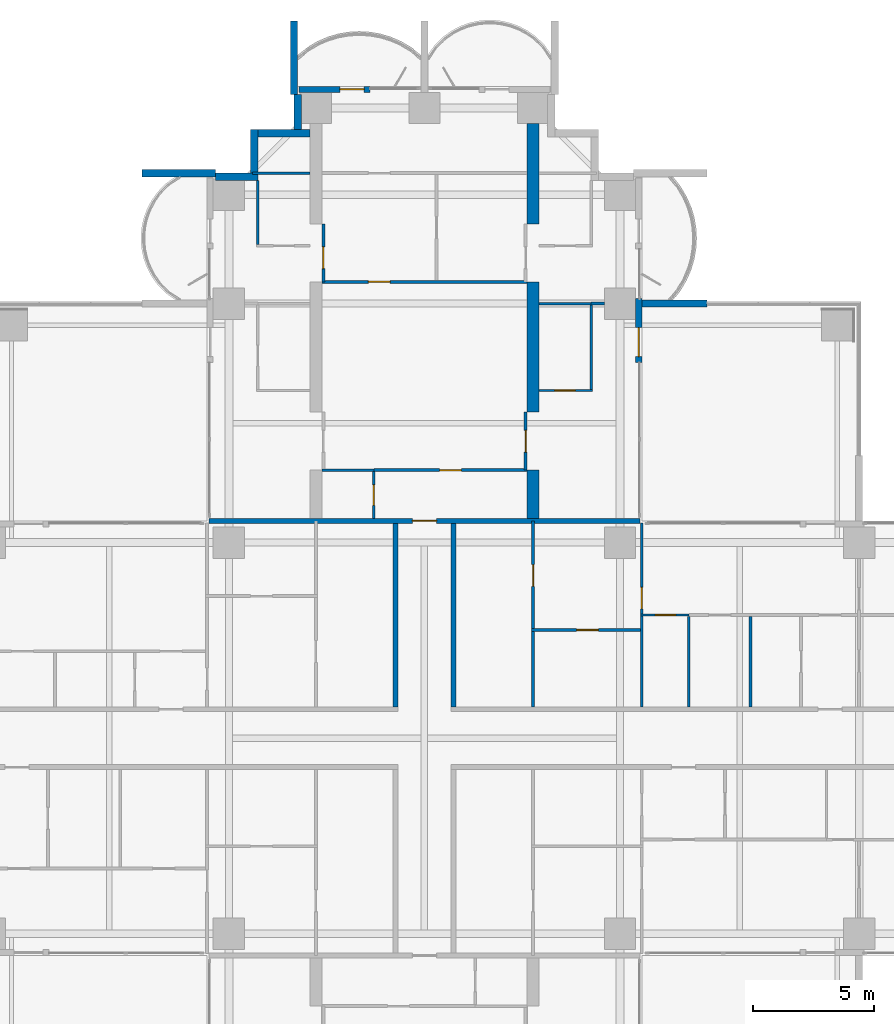
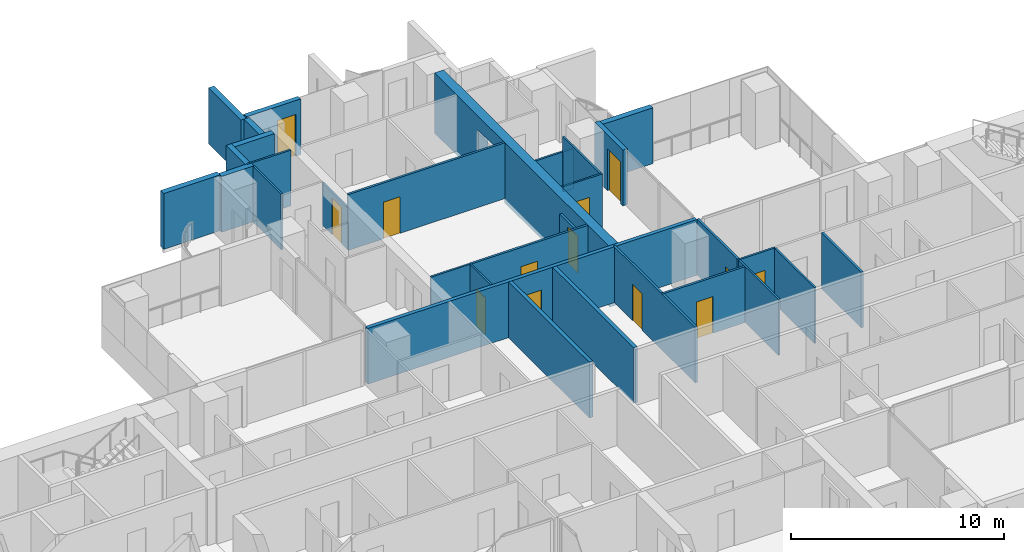
# One storey, part 14 of 21: 32 walls, 13 doors, 13 openings.
"""IFC4 building model written with IfcOpenShell, lengths in metres."""

from ifc_helpers import new_model, si_unit, direction, frame, frame_2d, origin, place, context, subcontext, project, spatial, polyline, rectangle, outline, extrude, material, layer, layer_set, material_profile, profile_set, type_object, element, fill, save


model = new_model("IFC4")

# Units and contexts
model_context = context("Model", 3, precision=1e-05, world=origin(), true_north=direction((0.0, 1.0)))
body_context = subcontext(model_context, "Body", "Model", "MODEL_VIEW")
ifc_project = project(units=[si_unit("LENGTHUNIT", "METRE"), si_unit("AREAUNIT", "SQUARE_METRE"), si_unit("VOLUMEUNIT", "CUBIC_METRE"), si_unit("PLANEANGLEUNIT", "RADIAN"), si_unit("MASSUNIT", "GRAM", prefix="KILO")], contexts=[model_context])

# Site, building, storey
site_placement = place(None, origin())
site = spatial("IfcSite", under=ifc_project, at=site_placement, CompositionType="ELEMENT")
building_placement = place(site_placement, origin())
building = spatial("IfcBuilding", under=site, at=building_placement, Name="Perihelion Cross Residences", CompositionType="ELEMENT")
storey_placement = place(building_placement, frame((0.0, 0.0, 89.0)))
storey = spatial("IfcBuildingStorey", under=building, at=storey_placement, Name="L20", CompositionType="ELEMENT", Elevation=89.0)

# Walls
ifc_material_1 = material(Name="Plasterboard partition")
ifc_layer_1 = layer(ifc_material_1, 0.199951171875)
ifc_layer_set_1 = layer_set([ifc_layer_1], Name="Apartment separation wall 200")
wall_type_1 = type_object("IfcWallType", Name="Apartment separation wall 200", PredefinedType="PARTITIONING", material=ifc_layer_set_1)
for number, where, z_axis, x_axis, name in (
    (1, (1.199951171875, 8.89990234375, 0.0), (0.0, 0.0, 1.0), (0.0, -1.0, 0.0), "Partition L20 W002"),
    (2, (-1.199951171875, 1.300048828125, 0.0), (0.0, 0.0, 1.0), (0.0, 1.0, 0.0), "Partition L20 W006"),
):
    element("IfcWall", number, at=place(storey_placement, frame(where, z_axis=z_axis, x_axis=x_axis)), inside=storey, type_object=wall_type_1, Name=name, PredefinedType="PARTITIONING", context=body_context, shape_type="SweptSolid", body=[
        extrude(rectangle(XDim=7.599853515625, YDim=0.199951171875, at=frame_2d((3.7998046875, 0.0))), origin(), (0.0, 0.0, 1.0), 3.199951171875),
    ])

# Wall, opening, door
wall_1_placement = place(storey_placement, frame((-8.919921875, 9.0, 0.0), z_axis=(0.0, 0.0, 1.0), x_axis=(1.0, 0.0, 0.0)))
wall_1 = element("IfcWall", 3, at=wall_1_placement, inside=storey, type_object=wall_type_1, Name="Partition L20 W009", PredefinedType="PARTITIONING", context=body_context, shape_type="SweptSolid", body=[
    extrude(rectangle(XDim=17.83984375, YDim=0.199951171875, at=frame_2d((8.919921875, 0.0))), origin(), (0.0, 0.0, 1.0), 3.199951171875),
])
opening_1_placement = place(wall_1_placement, frame((8.419921875, 0.0, 0.0)))
opening_1 = element("IfcOpeningElement", 4, at=opening_1_placement, cuts=wall_1, Name="Opening L20.A34", PredefinedType="OPENING", context=body_context, shape_type="SweptSolid", body=[
    extrude(rectangle(XDim=1.0, YDim=2.10009765625, at=frame_2d((0.5, 1.050048828125))), frame((0.0, 0.10986328125, 0.0), z_axis=(0.0, -1.0, 0.0), x_axis=(1.0, 0.0, 0.0)), (0.0, 0.0, 1.0), 0.219970703125),
])
ifc_material_2 = material(Name="Timber door leaf", Category="wood")
door_type_1 = type_object("IfcDoorType", Name="Flat entrance door 1000 x 2100", OperationType="SINGLE_SWING_LEFT", PredefinedType="DOOR", material=ifc_material_2)
door_1_placement = place(opening_1_placement, origin())
door_1 = element("IfcDoor", 5, at=door_1_placement, inside=storey, type_object=door_type_1, Name="Door L20.A34", OperationType="SINGLE_SWING_RIGHT", OverallHeight=2.10009765625, OverallWidth=1.0, PredefinedType="DOOR", context=body_context, shape_type="SweptSolid", body=[
    extrude(rectangle(XDim=1.0, YDim=2.10009765625, at=frame_2d((0.5, 1.050048828125))), frame((0.0, 0.02490234375, 0.0), z_axis=(0.0, -1.0, 0.0), x_axis=(1.0, 0.0, 0.0)), (0.0, 0.0, 1.0), 0.050048828125),
])
fill(opening_1, door_1)

ifc_material_3 = material(Name="Concrete C30/37, bronze-clad", Category="concrete")
ifc_layer_2 = layer(ifc_material_3, 0.25)
ifc_layer_set_2 = layer_set([ifc_layer_2], Name="Bronze-clad pier wall 250")
wall_type_2 = type_object("IfcWallType", Name="Bronze-clad pier wall 250", PredefinedType="SOLIDWALL", material=ifc_layer_set_2)
wall_2_placement = place(storey_placement, frame((8.875, 15.550048828125, 0.0), z_axis=(0.0, 0.0, 1.0), x_axis=(0.0, 1.0, 0.0)))
wall_2 = element("IfcWall", 6, at=wall_2_placement, inside=storey, type_object=wall_type_2, Name="Wall FW1 L20 north side east bay 1 pier", PredefinedType="SOLIDWALL", context=body_context, shape_type="SweptSolid", body=[
    extrude(rectangle(XDim=2.64990234375, YDim=0.25, at=frame_2d((1.324951171875, 0.0))), origin(), (0.0, 0.0, 1.0), 3.199951171875),
])
opening_2_placement = place(wall_2_placement, frame((0.25, 0.0, 0.0)))
opening_2 = element("IfcOpeningElement", 7, at=opening_2_placement, cuts=wall_2, Name="Opening L20.E02", PredefinedType="OPENING", context=body_context, shape_type="SweptSolid", body=[
    extrude(rectangle(XDim=1.199951171875, YDim=2.39990234375, at=frame_2d((0.60009765625, 1.199951171875))), frame((0.0, 0.135009765625, 0.0), z_axis=(0.0, -1.0, 0.0), x_axis=(1.0, 0.0, 0.0)), (0.0, 0.0, 1.0), 0.27001953125),
])
ifc_material_4 = material(Name="Bronze anodised aluminium, glazed", Category="aluminium")
door_type_2 = type_object("IfcDoorType", Name="Balcony door 1200 x 2400", OperationType="NOTDEFINED", PredefinedType="DOOR", material=ifc_material_4)
door_2_placement = place(opening_2_placement, origin())
door_2 = element("IfcDoor", 8, at=door_2_placement, inside=storey, type_object=door_type_2, Name="Door L20.E02 north side east bay 1", OperationType="SINGLE_SWING_LEFT", OverallHeight=2.39990234375, OverallWidth=1.199951171875, PredefinedType="DOOR", context=body_context, shape_type="SweptSolid", body=[
    extrude(rectangle(XDim=1.199951171875, YDim=2.39990234375, at=frame_2d((0.60009765625, 1.199951171875))), frame((0.0, 0.02490234375, 0.0), z_axis=(0.0, -1.0, 0.0), x_axis=(1.0, 0.0, 0.0)), (0.0, 0.0, 1.0), 0.050048828125),
])
fill(opening_2, door_2)

wall_3_placement = place(storey_placement, frame((-2.25, 26.875, 0.0), z_axis=(0.0, 0.0, 1.0), x_axis=(-1.0, 0.0, 0.0)))
wall_3 = element("IfcWall", 9, at=wall_3_placement, inside=storey, type_object=wall_type_2, Name="Wall FW1 L20 north tip north bay 2 pier", PredefinedType="SOLIDWALL", context=body_context, shape_type="SweptSolid", body=[
    extrude(rectangle(XDim=2.949951171875, YDim=0.25, at=frame_2d((1.47509765625, 0.0))), origin(), (0.0, 0.0, 1.0), 3.199951171875),
])
opening_3_placement = place(wall_3_placement, frame((0.25, 0.0, 0.0)))
opening_3 = element("IfcOpeningElement", 10, at=opening_3_placement, cuts=wall_3, Name="Opening L20.E05", PredefinedType="OPENING", context=body_context, shape_type="SweptSolid", body=[
    extrude(rectangle(XDim=1.0, YDim=2.39990234375, at=frame_2d((0.5, 1.199951171875))), frame((0.0, 0.135009765625, 0.0), z_axis=(0.0, -1.0, 0.0), x_axis=(1.0, 0.0, 0.0)), (0.0, 0.0, 1.0), 0.27001953125),
])
ifc_material_5 = material(Name="Bronze anodised aluminium, glazed", Category="aluminium")
door_type_3 = type_object("IfcDoorType", Name="Balcony door 1000 x 2400", OperationType="NOTDEFINED", PredefinedType="DOOR", material=ifc_material_5)
door_3_placement = place(opening_3_placement, origin())
door_3 = element("IfcDoor", 11, at=door_3_placement, inside=storey, type_object=door_type_3, Name="Door L20.E05 north tip north bay 2", OperationType="SINGLE_SWING_RIGHT", OverallHeight=2.39990234375, OverallWidth=1.0, PredefinedType="DOOR", context=body_context, shape_type="SweptSolid", body=[
    extrude(rectangle(XDim=1.0, YDim=2.39990234375, at=frame_2d((0.5, 1.199951171875))), frame((0.0, 0.02490234375, 0.0), z_axis=(0.0, -1.0, 0.0), x_axis=(1.0, 0.0, 0.0)), (0.0, 0.0, 1.0), 0.050048828125),
])
fill(opening_3, door_3)

# Walls
ifc_material_6 = material(Name="Concrete C30/37, bronze-clad", Category="concrete")
ifc_layer_3 = layer(ifc_material_6, 0.300048828125)
ifc_layer_set_3 = layer_set([ifc_layer_3], Name="Bronze-clad serration wall 300")
wall_type_3 = type_object("IfcWallType", Name="Bronze-clad serration wall 300", PredefinedType="SOLIDWALL", material=ifc_layer_set_3)
wall_4_placement = place(storey_placement, frame((-5.25, 26.64990234375, 0.0), z_axis=(0.0, 0.0, 1.0), x_axis=(0.0, -1.0, 0.0)))
element("IfcWall", 12, at=wall_4_placement, inside=storey, type_object=wall_type_3, Name="Wall SR1 L20 north corner north-west 1", PredefinedType="SOLIDWALL", context=body_context, shape_type="SweptSolid", body=[
    extrude(rectangle(XDim=1.449951171875, YDim=0.300048828125, at=frame_2d((0.72509765625, 0.0))), origin(), (0.0, 0.0, 1.0), 3.199951171875),
])
wall_5_placement = place(storey_placement, frame((-4.75, 25.050048828125, 0.0), z_axis=(0.0, 0.0, 1.0), x_axis=(-1.0, 0.0, 0.0)))
element("IfcWall", 13, at=wall_5_placement, inside=storey, type_object=wall_type_3, Name="Wall SR1 L20 north corner north-west 2", PredefinedType="SOLIDWALL", context=body_context, shape_type="SweptSolid", body=[
    extrude(rectangle(XDim=2.14990234375, YDim=0.300048828125, at=frame_2d((1.074951171875, 0.0))), origin(), (0.0, 0.0, 1.0), 3.199951171875),
])
wall_6_placement = place(storey_placement, frame((-7.050048828125, 25.199951171875, 0.0), z_axis=(0.0, 0.0, 1.0), x_axis=(0.0, -1.0, 0.0)))
element("IfcWall", 14, at=wall_6_placement, inside=storey, type_object=wall_type_3, Name="Wall SR1 L20 north corner north-west 3", PredefinedType="SOLIDWALL", context=body_context, shape_type="SweptSolid", body=[
    extrude(rectangle(XDim=1.800048828125, YDim=0.300048828125, at=frame_2d((0.89990234375, 0.0))), origin(), (0.0, 0.0, 1.0), 3.199951171875),
])
wall_7_placement = place(storey_placement, frame((-6.89990234375, 23.25, 0.0), z_axis=(0.0, 0.0, 1.0), x_axis=(-1.0, 0.0, 0.0)))
element("IfcWall", 15, at=wall_7_placement, inside=storey, type_object=wall_type_3, Name="Wall SR1 L20 north corner north-west 4", PredefinedType="SOLIDWALL", context=body_context, shape_type="SweptSolid", body=[
    extrude(rectangle(XDim=1.75, YDim=0.300048828125, at=frame_2d((0.875, 0.0))), origin(), (0.0, 0.0, 1.0), 3.199951171875),
])

# Wall, opening, door
ifc_material_7 = material(Name="Plasterboard partition")
ifc_layer_4 = layer(ifc_material_7, 0.1201171875)
ifc_layer_set_4 = layer_set([ifc_layer_4], Name="Infill panel 120")
wall_type_4 = type_object("IfcWallType", Name="Infill panel 120", PredefinedType="PARTITIONING", material=ifc_layer_set_4)
wall_8_placement = place(storey_placement, frame((4.18994140625, 11.10009765625, 0.0), z_axis=(0.0, 0.0, 1.0), x_axis=(0.0, 1.0, 0.0)))
wall_8 = element("IfcWall", 16, at=wall_8_placement, inside=storey, type_object=wall_type_4, Name="Partition L20 WI01", PredefinedType="PARTITIONING", context=body_context, shape_type="SweptSolid", body=[
    extrude(rectangle(XDim=2.39990234375, YDim=0.1201171875, at=frame_2d((1.199951171875, 0.0))), origin(), (0.0, 0.0, 1.0), 2.39990234375),
])
opening_4_placement = place(wall_8_placement, frame((0.75, 0.0, 0.0)))
opening_4 = element("IfcOpeningElement", 17, at=opening_4_placement, cuts=wall_8, Name="Opening L20.A57", PredefinedType="OPENING", context=body_context, shape_type="SweptSolid", body=[
    extrude(rectangle(XDim=0.89990234375, YDim=2.10009765625, at=frame_2d((0.449951171875, 1.050048828125))), frame((0.0, 0.070068359375, 0.0), z_axis=(0.0, -1.0, 0.0), x_axis=(1.0, 0.0, 0.0)), (0.0, 0.0, 1.0), 0.14013671875),
])
ifc_material_8 = material(Name="Timber door leaf", Category="wood")
door_type_4 = type_object("IfcDoorType", Name="Interior room door 900 x 2100", OperationType="SINGLE_SWING_LEFT", PredefinedType="DOOR", material=ifc_material_8)
door_4_placement = place(opening_4_placement, origin())
door_4 = element("IfcDoor", 18, at=door_4_placement, inside=storey, type_object=door_type_4, Name="Door L20.A57", OperationType="SINGLE_SWING_LEFT", OverallHeight=2.10009765625, OverallWidth=0.89990234375, PredefinedType="DOOR", context=body_context, shape_type="SweptSolid", body=[
    extrude(rectangle(XDim=0.89990234375, YDim=2.10009765625, at=frame_2d((0.449951171875, 1.050048828125))), frame((0.0, 0.02490234375, 0.0), z_axis=(0.0, -1.0, 0.0), x_axis=(1.0, 0.0, 0.0)), (0.0, 0.0, 1.0), 0.050048828125),
])
fill(opening_4, door_4)

wall_9_placement = place(storey_placement, frame((-4.18994140625, 18.89990234375, 0.0), z_axis=(0.0, 0.0, 1.0), x_axis=(0.0, 1.0, 0.0)))
wall_9 = element("IfcWall", 19, at=wall_9_placement, inside=storey, type_object=wall_type_4, Name="Partition L20 WI04", PredefinedType="PARTITIONING", context=body_context, shape_type="SweptSolid", body=[
    extrude(rectangle(XDim=2.400146484375, YDim=0.1201171875, at=frame_2d((1.2001953125, 0.0))), origin(), (0.0, 0.0, 1.0), 2.39990234375),
])
opening_5_placement = place(wall_9_placement, frame((0.550048828125, 0.0, 0.0)))
opening_5 = element("IfcOpeningElement", 20, at=opening_5_placement, cuts=wall_9, Name="Opening L20.A60", PredefinedType="OPENING", context=body_context, shape_type="SweptSolid", body=[
    extrude(rectangle(XDim=0.89990234375, YDim=2.10009765625, at=frame_2d((0.449951171875, 1.050048828125))), frame((0.0, 0.070068359375, 0.0), z_axis=(0.0, -1.0, 0.0), x_axis=(1.0, 0.0, 0.0)), (0.0, 0.0, 1.0), 0.14013671875),
])
door_5_placement = place(opening_5_placement, origin())
door_5 = element("IfcDoor", 21, at=door_5_placement, inside=storey, type_object=door_type_4, Name="Door L20.A60", OperationType="SINGLE_SWING_LEFT", OverallHeight=2.10009765625, OverallWidth=0.89990234375, PredefinedType="DOOR", context=body_context, shape_type="SweptSolid", body=[
    extrude(rectangle(XDim=0.89990234375, YDim=2.10009765625, at=frame_2d((0.449951171875, 1.050048828125))), frame((0.0, 0.02490234375, 0.0), z_axis=(0.0, -1.0, 0.0), x_axis=(1.0, 0.0, 0.0)), (0.0, 0.0, 1.0), 0.050048828125),
])
fill(opening_5, door_5)

# Wall
ifc_material_9 = material(Name="Plasterboard partition")
ifc_layer_5 = layer(ifc_material_9, 0.1201171875)
ifc_layer_set_5 = layer_set([ifc_layer_5], Name="Partition wall 120")
wall_type_5 = type_object("IfcWallType", Name="Partition wall 120", PredefinedType="PARTITIONING", material=ifc_layer_set_5)
wall_10_placement = place(storey_placement, frame((13.5, 5.0400390625, 0.0), z_axis=(0.0, 0.0, 1.0), x_axis=(0.0, -1.0, 0.0)))
element("IfcWall", 22, at=wall_10_placement, inside=storey, type_object=wall_type_5, Name="Partition L20 W014", PredefinedType="PARTITIONING", context=body_context, shape_type="SweptSolid", body=[
    extrude(rectangle(XDim=3.739990234375, YDim=0.1201171875, at=frame_2d((1.8701171875, 0.0))), origin(), (0.0, 0.0, 1.0), 3.199951171875),
])

# Wall, opening, door
wall_11_placement = place(storey_placement, frame((9.0, 5.10009765625, 0.0), z_axis=(0.0, 0.0, 1.0), x_axis=(0.0, 1.0, 0.0)))
wall_11 = element("IfcWall", 23, at=wall_11_placement, inside=storey, type_object=wall_type_5, Name="Partition L20 W018", PredefinedType="PARTITIONING", context=body_context, shape_type="SweptSolid", body=[
    extrude(rectangle(XDim=3.81982421875, YDim=0.1201171875, at=frame_2d((1.909912109375, 0.0))), origin(), (0.0, 0.0, 1.0), 3.199951171875),
])
opening_6_placement = place(wall_11_placement, frame((0.25, 0.0, 0.0)))
opening_6 = element("IfcOpeningElement", 24, at=opening_6_placement, cuts=wall_11, Name="Opening L20.A05", PredefinedType="OPENING", context=body_context, shape_type="SweptSolid", body=[
    extrude(rectangle(XDim=0.89990234375, YDim=2.10009765625, at=frame_2d((0.449951171875, 1.050048828125))), frame((0.0, 0.070068359375, 0.0), z_axis=(0.0, -1.0, 0.0), x_axis=(1.0, 0.0, 0.0)), (0.0, 0.0, 1.0), 0.14013671875),
])
door_6_placement = place(opening_6_placement, origin())
door_6 = element("IfcDoor", 25, at=door_6_placement, inside=storey, type_object=door_type_4, Name="Door L20.A05", OperationType="SINGLE_SWING_LEFT", OverallHeight=2.10009765625, OverallWidth=0.89990234375, PredefinedType="DOOR", context=body_context, shape_type="SweptSolid", body=[
    extrude(rectangle(XDim=0.89990234375, YDim=2.10009765625, at=frame_2d((0.449951171875, 1.050048828125))), frame((0.0, 0.02490234375, 0.0), z_axis=(0.0, -1.0, 0.0), x_axis=(1.0, 0.0, 0.0)), (0.0, 0.0, 1.0), 0.050048828125),
])
fill(opening_6, door_6)

wall_12_placement = place(storey_placement, frame((4.43994140625, 4.47607421875, 0.0), z_axis=(0.0, 0.0, 1.0), x_axis=(1.0, 0.0, 0.0)))
wall_12 = element("IfcWall", 26, at=wall_12_placement, inside=storey, type_object=wall_type_5, Name="Partition L20 W019", PredefinedType="PARTITIONING", context=body_context, shape_type="SweptSolid", body=[
    extrude(rectangle(XDim=4.610107421875, YDim=0.1201171875, at=frame_2d((2.30517578125, 0.0))), origin(), (0.0, 0.0, 1.0), 3.199951171875),
])
opening_7_placement = place(wall_12_placement, frame((1.860107421875, 0.0, 0.0)))
opening_7 = element("IfcOpeningElement", 27, at=opening_7_placement, cuts=wall_12, Name="Opening L20.A03", PredefinedType="OPENING", context=body_context, shape_type="SweptSolid", body=[
    extrude(rectangle(XDim=0.89990234375, YDim=2.10009765625, at=frame_2d((0.449951171875, 1.050048828125))), frame((0.0, 0.070068359375, 0.0), z_axis=(0.0, -1.0, 0.0), x_axis=(1.0, 0.0, 0.0)), (0.0, 0.0, 1.0), 0.14013671875),
])
door_7_placement = place(opening_7_placement, origin())
door_7 = element("IfcDoor", 28, at=door_7_placement, inside=storey, type_object=door_type_4, Name="Door L20.A03", OperationType="SINGLE_SWING_RIGHT", OverallHeight=2.10009765625, OverallWidth=0.89990234375, PredefinedType="DOOR", context=body_context, shape_type="SweptSolid", body=[
    extrude(rectangle(XDim=0.89990234375, YDim=2.10009765625, at=frame_2d((0.449951171875, 1.050048828125))), frame((0.0, 0.02490234375, 0.0), z_axis=(0.0, -1.0, 0.0), x_axis=(1.0, 0.0, 0.0)), (0.0, 0.0, 1.0), 0.050048828125),
])
fill(opening_7, door_7)

wall_13_placement = place(storey_placement, frame((4.5, 1.300048828125, 0.0), z_axis=(0.0, 0.0, 1.0), x_axis=(0.0, 1.0, 0.0)))
wall_13 = element("IfcWall", 29, at=wall_13_placement, inside=storey, type_object=wall_type_5, Name="Partition L20 W020", PredefinedType="PARTITIONING", context=body_context, shape_type="SweptSolid", body=[
    extrude(rectangle(XDim=7.699951171875, YDim=0.1201171875, at=frame_2d((3.85009765625, 0.0))), origin(), (0.0, 0.0, 1.0), 3.199951171875),
])
opening_8_placement = place(wall_13_placement, frame((4.988037109375, 0.0, 0.0)))
opening_8 = element("IfcOpeningElement", 30, at=opening_8_placement, cuts=wall_13, Name="Opening L20.A04", PredefinedType="OPENING", context=body_context, shape_type="SweptSolid", body=[
    extrude(rectangle(XDim=0.89990234375, YDim=2.10009765625, at=frame_2d((0.449951171875, 1.050048828125))), frame((0.0, 0.070068359375, 0.0), z_axis=(0.0, -1.0, 0.0), x_axis=(1.0, 0.0, 0.0)), (0.0, 0.0, 1.0), 0.14013671875),
])
door_8_placement = place(opening_8_placement, origin())
door_8 = element("IfcDoor", 31, at=door_8_placement, inside=storey, type_object=door_type_4, Name="Door L20.A04", OperationType="SINGLE_SWING_LEFT", OverallHeight=2.10009765625, OverallWidth=0.89990234375, PredefinedType="DOOR", context=body_context, shape_type="SweptSolid", body=[
    extrude(rectangle(XDim=0.89990234375, YDim=2.10009765625, at=frame_2d((0.449951171875, 1.050048828125))), frame((0.0, 0.02490234375, 0.0), z_axis=(0.0, -1.0, 0.0), x_axis=(1.0, 0.0, 0.0)), (0.0, 0.0, 1.0), 0.050048828125),
])
fill(opening_8, door_8)

wall_14_placement = place(storey_placement, frame((-2.10009765625, 11.10009765625, 0.0), z_axis=(0.0, 0.0, 1.0), x_axis=(1.0, 0.0, 0.0)))
wall_14 = element("IfcWall", 32, at=wall_14_placement, inside=storey, type_object=wall_type_5, Name="Partition L20 W050", PredefinedType="PARTITIONING", context=body_context, shape_type="SweptSolid", body=[
    extrude(rectangle(XDim=6.35009765625, YDim=0.1201171875, at=frame_2d((3.175048828125, 0.0))), origin(), (0.0, 0.0, 1.0), 3.199951171875),
])
opening_9_placement = place(wall_14_placement, frame((2.72509765625, 0.0, 0.0)))
opening_9 = element("IfcOpeningElement", 33, at=opening_9_placement, cuts=wall_14, Name="Opening L20.A36", PredefinedType="OPENING", context=body_context, shape_type="SweptSolid", body=[
    extrude(rectangle(XDim=0.89990234375, YDim=2.10009765625, at=frame_2d((0.449951171875, 1.050048828125))), frame((0.0, 0.070068359375, 0.0), z_axis=(0.0, -1.0, 0.0), x_axis=(1.0, 0.0, 0.0)), (0.0, 0.0, 1.0), 0.14013671875),
])
door_9_placement = place(opening_9_placement, origin())
door_9 = element("IfcDoor", 34, at=door_9_placement, inside=storey, type_object=door_type_4, Name="Door L20.A36", OperationType="SINGLE_SWING_RIGHT", OverallHeight=2.10009765625, OverallWidth=0.89990234375, PredefinedType="DOOR", context=body_context, shape_type="SweptSolid", body=[
    extrude(rectangle(XDim=0.89990234375, YDim=2.10009765625, at=frame_2d((0.449951171875, 1.050048828125))), frame((0.0, 0.02490234375, 0.0), z_axis=(0.0, -1.0, 0.0), x_axis=(1.0, 0.0, 0.0)), (0.0, 0.0, 1.0), 0.050048828125),
])
fill(opening_9, door_9)

wall_15_placement = place(storey_placement, frame((-4.25, 18.89990234375, 0.0), z_axis=(0.0, 0.0, 1.0), x_axis=(1.0, 0.0, 0.0)))
wall_15 = element("IfcWall", 35, at=wall_15_placement, inside=storey, type_object=wall_type_5, Name="Partition L20 W052", PredefinedType="PARTITIONING", context=body_context, shape_type="SweptSolid", body=[
    extrude(rectangle(XDim=8.5, YDim=0.1201171875, at=frame_2d((4.25, 0.0))), origin(), (0.0, 0.0, 1.0), 3.199951171875),
])
opening_10_placement = place(wall_15_placement, frame((1.925048828125, 0.0, 0.0)))
opening_10 = element("IfcOpeningElement", 36, at=opening_10_placement, cuts=wall_15, Name="Opening L20.A37", PredefinedType="OPENING", context=body_context, shape_type="SweptSolid", body=[
    extrude(rectangle(XDim=0.89990234375, YDim=2.10009765625, at=frame_2d((0.449951171875, 1.050048828125))), frame((0.0, 0.070068359375, 0.0), z_axis=(0.0, -1.0, 0.0), x_axis=(1.0, 0.0, 0.0)), (0.0, 0.0, 1.0), 0.14013671875),
])
door_10_placement = place(opening_10_placement, origin())
door_10 = element("IfcDoor", 37, at=door_10_placement, inside=storey, type_object=door_type_4, Name="Door L20.A37", OperationType="SINGLE_SWING_RIGHT", OverallHeight=2.10009765625, OverallWidth=0.89990234375, PredefinedType="DOOR", context=body_context, shape_type="SweptSolid", body=[
    extrude(rectangle(XDim=0.89990234375, YDim=2.10009765625, at=frame_2d((0.449951171875, 1.050048828125))), frame((0.0, 0.02490234375, 0.0), z_axis=(0.0, -1.0, 0.0), x_axis=(1.0, 0.0, 0.0)), (0.0, 0.0, 1.0), 0.050048828125),
])
fill(opening_10, door_10)

# Walls
wall_16_placement = place(storey_placement, frame((6.89990234375, 18.0, 0.0), z_axis=(0.0, 0.0, 1.0), x_axis=(1.0, 0.0, 0.0)))
element("IfcWall", 38, at=wall_16_placement, inside=storey, type_object=wall_type_5, Name="Partition L20 W057", PredefinedType="PARTITIONING", context=body_context, shape_type="SweptSolid", body=[
    extrude(rectangle(XDim=0.550048828125, YDim=0.1201171875, at=frame_2d((0.27490234375, 0.0))), origin(), (0.0, 0.0, 1.0), 2.2958984375),
])
ifc_material_10 = material(Name="Precast concrete C50/60", Category="concrete")
ifc_layer_6 = layer(ifc_material_10, 0.300048828125)
ifc_layer_set_6 = layer_set([ifc_layer_6], Name="Precast concrete C50/60 blade wall 300")
wall_type_6 = type_object("IfcWallType", Name="Precast concrete C50/60 blade wall 300", PredefinedType="SOLIDWALL", material=ifc_layer_set_6)
for number, where, z_axis, x_axis, name in (
    (39, (-8.64990234375, 23.39990234375, 0.0), (0.0, 0.0, 1.0), (-1.0, 0.0, 0.0), "Wall BL1 L20 no. 8"),
    (40, (-5.39990234375, 26.64990234375, 0.0), (0.0, 0.0, 1.0), (0.0, 1.0, 0.0), "Wall BL1 L20 no. 4"),
):
    element("IfcWall", number, at=place(storey_placement, frame(where, z_axis=z_axis, x_axis=x_axis)), inside=storey, type_object=wall_type_6, Name=name, PredefinedType="SOLIDWALL", context=body_context, shape_type="SweptSolid", body=[
        extrude(rectangle(XDim=3.050048828125, YDim=0.300048828125, at=frame_2d((1.52490234375, 0.0))), origin(), (0.0, 0.0, 1.0), 3.199951171875),
    ])
wall_17_placement = place(storey_placement, frame((8.75, 18.0, 0.0), z_axis=(0.0, 0.0, 1.0), x_axis=(1.0, 0.0, 0.0)))
element("IfcWall", 41, at=wall_17_placement, inside=storey, type_object=wall_type_6, Name="Wall BL1 L20 no. 17", PredefinedType="SOLIDWALL", context=body_context, shape_type="SweptSolid", body=[
    extrude(rectangle(XDim=2.949951171875, YDim=0.300048828125, at=frame_2d((1.47509765625, 0.0))), origin(), (0.0, 0.0, 1.0), 3.199951171875),
])
ifc_material_11 = material(Name="Concrete C60/75", Category="concrete")
ifc_material_profile = material_profile(ifc_material_11, outline(polyline([(0.0, 0.0), (2.10009765625, 0.0), (2.10009765625, 2.64990234375), (4.5, 2.64990234375), (4.5, 0.0), (9.89990234375, 0.0), (9.89990234375, 2.64990234375), (12.300048828125, 2.64990234375), (12.300048828125, 0.0), (16.449951171875, 0.0), (16.449951171875, 3.449951171875), (0.0, 3.449951171875), (0.0, 0.0)])), Name="Tip spine wall")
ifc_profile_set = profile_set([ifc_material_profile], Name="Concrete C60/75")
wall_type_7 = type_object("IfcWallType", Name="Tip spine wall 500 with 2 door openings 16450 long 3450 high concrete C60/75 hand B", PredefinedType="SHEAR", material=ifc_profile_set)
wall_18_placement = place(storey_placement, frame((4.25, 9.0, -0.25), z_axis=(1.0, 0.0, 0.0), x_axis=(0.0, 1.0, 0.0)))
element("IfcWall", 42, at=wall_18_placement, inside=storey, type_object=wall_type_7, Name="Shear wall SW26 L20 north east", PredefinedType="SHEAR", context=body_context, shape_type="SweptSolid", body=[
    extrude(outline(polyline([(0.0, 0.0), (2.10009765625, 0.0), (2.10009765625, 2.64990234375), (4.5, 2.64990234375), (4.5, 0.0), (9.89990234375, 0.0), (9.89990234375, 2.64990234375), (12.300048828125, 2.64990234375), (12.300048828125, 0.0), (16.449951171875, 0.0), (16.449951171875, 3.449951171875), (0.0, 3.449951171875), (0.0, 0.0)])), origin(), (0.0, 0.0, 1.0), 0.5),
])
ifc_material_12 = material(Name="Plasterboard partition")
ifc_layer_7 = layer(ifc_material_12, 0.10009765625)
ifc_layer_set_7 = layer_set([ifc_layer_7], Name="Wet room wall 100")
wall_type_8 = type_object("IfcWallType", Name="Wet room wall 100", PredefinedType="PARTITIONING", material=ifc_layer_set_7)
wall_19_placement = place(storey_placement, frame((10.949951171875, 5.0400390625, 0.0), z_axis=(0.0, 0.0, 1.0), x_axis=(0.0, -1.0, 0.0)))
element("IfcWall", 43, at=wall_19_placement, inside=storey, type_object=wall_type_8, Name="Partition L20 W011", PredefinedType="PARTITIONING", context=body_context, shape_type="SweptSolid", body=[
    extrude(rectangle(XDim=3.739990234375, YDim=0.10009765625, at=frame_2d((1.8701171875, 0.0))), origin(), (0.0, 0.0, 1.0), 3.199951171875),
])

# Wall, opening, door
wall_20_placement = place(storey_placement, frame((8.93994140625, 5.10009765625, 0.0), z_axis=(0.0, 0.0, 1.0), x_axis=(1.0, 0.0, 0.0)))
wall_20 = element("IfcWall", 44, at=wall_20_placement, inside=storey, type_object=wall_type_8, Name="Partition L20 W012", PredefinedType="PARTITIONING", context=body_context, shape_type="SweptSolid", body=[
    extrude(rectangle(XDim=2.010009765625, YDim=0.10009765625, at=frame_2d((1.0048828125, 0.0))), origin(), (0.0, 0.0, 1.0), 3.199951171875),
])
opening_11_placement = place(wall_20_placement, frame((0.610107421875, 0.0, 0.0)))
opening_11 = element("IfcOpeningElement", 45, at=opening_11_placement, cuts=wall_20, Name="Opening L20.A01", PredefinedType="OPENING", context=body_context, shape_type="SweptSolid", body=[
    extrude(rectangle(XDim=0.85009765625, YDim=2.10009765625, at=frame_2d((0.425048828125, 1.050048828125))), frame((0.0, 0.06005859375, 0.0), z_axis=(0.0, -1.0, 0.0), x_axis=(1.0, 0.0, 0.0)), (0.0, 0.0, 1.0), 0.1201171875),
])
ifc_material_13 = material(Name="Timber door leaf", Category="wood")
door_type_5 = type_object("IfcDoorType", Name="Interior bathroom door 850 x 2100", OperationType="SINGLE_SWING_LEFT", PredefinedType="DOOR", material=ifc_material_13)
door_11_placement = place(opening_11_placement, origin())
door_11 = element("IfcDoor", 46, at=door_11_placement, inside=storey, type_object=door_type_5, Name="Door L20.A01", OperationType="SINGLE_SWING_LEFT", OverallHeight=2.10009765625, OverallWidth=0.85009765625, PredefinedType="DOOR", context=body_context, shape_type="SweptSolid", body=[
    extrude(rectangle(XDim=0.85009765625, YDim=2.10009765625, at=frame_2d((0.425048828125, 1.050048828125))), frame((0.0, 0.02490234375, 0.0), z_axis=(0.0, -1.0, 0.0), x_axis=(1.0, 0.0, 0.0)), (0.0, 0.0, 1.0), 0.050048828125),
])
fill(opening_11, door_11)

# Wall
wall_21_placement = place(storey_placement, frame((9.0, 1.300048828125, 0.0), z_axis=(0.0, 0.0, 1.0), x_axis=(0.0, 1.0, 0.0)))
element("IfcWall", 47, at=wall_21_placement, inside=storey, type_object=wall_type_8, Name="Partition L20 W013", PredefinedType="PARTITIONING", context=body_context, shape_type="SweptSolid", body=[
    extrude(rectangle(XDim=3.800048828125, YDim=0.10009765625, at=frame_2d((1.89990234375, 0.0))), origin(), (0.0, 0.0, 1.0), 3.199951171875),
])

# Wall, opening, door
wall_22_placement = place(storey_placement, frame((-2.10009765625, 9.10009765625, 0.0), z_axis=(0.0, 0.0, 1.0), x_axis=(0.0, 1.0, 0.0)))
wall_22 = element("IfcWall", 48, at=wall_22_placement, inside=storey, type_object=wall_type_8, Name="Partition L20 W049", PredefinedType="PARTITIONING", context=body_context, shape_type="SweptSolid", body=[
    extrude(rectangle(XDim=1.93994140625, YDim=0.10009765625, at=frame_2d((0.969970703125, 0.0))), origin(), (0.0, 0.0, 1.0), 3.199951171875),
])
opening_12_placement = place(wall_22_placement, frame((0.544921875, 0.0, 0.0)))
opening_12 = element("IfcOpeningElement", 49, at=opening_12_placement, cuts=wall_22, Name="Opening L20.A35", PredefinedType="OPENING", context=body_context, shape_type="SweptSolid", body=[
    extrude(rectangle(XDim=0.85009765625, YDim=2.10009765625, at=frame_2d((0.425048828125, 1.050048828125))), frame((0.0, 0.06005859375, 0.0), z_axis=(0.0, -1.0, 0.0), x_axis=(1.0, 0.0, 0.0)), (0.0, 0.0, 1.0), 0.1201171875),
])
door_12_placement = place(opening_12_placement, origin())
door_12 = element("IfcDoor", 50, at=door_12_placement, inside=storey, type_object=door_type_5, Name="Door L20.A35", OperationType="SINGLE_SWING_LEFT", OverallHeight=2.10009765625, OverallWidth=0.85009765625, PredefinedType="DOOR", context=body_context, shape_type="SweptSolid", body=[
    extrude(rectangle(XDim=0.85009765625, YDim=2.10009765625, at=frame_2d((0.425048828125, 1.050048828125))), frame((0.0, 0.02490234375, 0.0), z_axis=(0.0, -1.0, 0.0), x_axis=(1.0, 0.0, 0.0)), (0.0, 0.0, 1.0), 0.050048828125),
])
fill(opening_12, door_12)

# Wall
wall_23_placement = place(storey_placement, frame((-4.25, 11.10009765625, 0.0), z_axis=(0.0, 0.0, 1.0), x_axis=(1.0, 0.0, 0.0)))
element("IfcWall", 51, at=wall_23_placement, inside=storey, type_object=wall_type_8, Name="Partition L20 W051", PredefinedType="PARTITIONING", context=body_context, shape_type="SweptSolid", body=[
    extrude(rectangle(XDim=2.14990234375, YDim=0.10009765625, at=frame_2d((1.074951171875, 0.0))), origin(), (0.0, 0.0, 1.0), 3.199951171875),
])

# Wall, opening, door
wall_24_placement = place(storey_placement, frame((4.75, 14.39990234375, 0.0), z_axis=(0.0, 0.0, 1.0), x_axis=(1.0, 0.0, 0.0)))
wall_24 = element("IfcWall", 52, at=wall_24_placement, inside=storey, type_object=wall_type_8, Name="Partition L20 W055", PredefinedType="PARTITIONING", context=body_context, shape_type="SweptSolid", body=[
    extrude(rectangle(XDim=2.199951171875, YDim=0.10009765625, at=frame_2d((1.10009765625, 0.0))), origin(), (0.0, 0.0, 1.0), 3.199951171875),
])
opening_13_placement = place(wall_24_placement, frame((0.64990234375, 0.0, 0.0)))
opening_13 = element("IfcOpeningElement", 53, at=opening_13_placement, cuts=wall_24, Name="Opening L20.A40", PredefinedType="OPENING", context=body_context, shape_type="SweptSolid", body=[
    extrude(rectangle(XDim=0.85009765625, YDim=2.10009765625, at=frame_2d((0.425048828125, 1.050048828125))), frame((0.0, 0.06005859375, 0.0), z_axis=(0.0, -1.0, 0.0), x_axis=(1.0, 0.0, 0.0)), (0.0, 0.0, 1.0), 0.1201171875),
])
door_13_placement = place(opening_13_placement, origin())
door_13 = element("IfcDoor", 54, at=door_13_placement, inside=storey, type_object=door_type_5, Name="Door L20.A40", OperationType="SINGLE_SWING_RIGHT", OverallHeight=2.10009765625, OverallWidth=0.85009765625, PredefinedType="DOOR", context=body_context, shape_type="SweptSolid", body=[
    extrude(rectangle(XDim=0.85009765625, YDim=2.10009765625, at=frame_2d((0.425048828125, 1.050048828125))), frame((0.0, 0.02490234375, 0.0), z_axis=(0.0, -1.0, 0.0), x_axis=(1.0, 0.0, 0.0)), (0.0, 0.0, 1.0), 0.050048828125),
])
fill(opening_13, door_13)

# Walls
wall_25_placement = place(storey_placement, frame((6.89990234375, 14.449951171875, 0.0), z_axis=(0.0, 0.0, 1.0), x_axis=(0.0, 1.0, 0.0)))
element("IfcWall", 55, at=wall_25_placement, inside=storey, type_object=wall_type_8, Name="Partition L20 W056", PredefinedType="PARTITIONING", context=body_context, shape_type="SweptSolid", body=[
    extrude(rectangle(XDim=3.489990234375, YDim=0.10009765625, at=frame_2d((1.7451171875, 0.0))), origin(), (0.0, 0.0, 1.0), 3.199951171875),
])
wall_26_placement = place(storey_placement, frame((4.75, 18.0, 0.0), z_axis=(0.0, 0.0, 1.0), x_axis=(1.0, 0.0, 0.0)))
element("IfcWall", 56, at=wall_26_placement, inside=storey, type_object=wall_type_8, Name="Partition L20 W058", PredefinedType="PARTITIONING", context=body_context, shape_type="SweptSolid", body=[
    extrude(rectangle(XDim=2.14990234375, YDim=0.10009765625, at=frame_2d((1.074951171875, 0.0))), origin(), (0.0, 0.0, 1.0), 2.2958984375),
])
wall_27_placement = place(storey_placement, frame((-6.89990234375, 23.10009765625, 0.0), z_axis=(0.0, 0.0, 1.0), x_axis=(0.0, -1.0, 0.0)))
element("IfcWall", 57, at=wall_27_placement, inside=storey, type_object=wall_type_8, Name="Partition L20 W066", PredefinedType="PARTITIONING", context=body_context, shape_type="SweptSolid", body=[
    extrude(rectangle(XDim=2.650146484375, YDim=0.10009765625, at=frame_2d((1.3251953125, 0.0))), origin(), (0.0, 0.0, 1.0), 3.199951171875),
])
wall_28_placement = place(storey_placement, frame((-7.1201171875, 23.39990234375, 0.0), z_axis=(0.0, 0.0, 1.0), x_axis=(1.0, 0.0, 0.0)))
element("IfcWall", 58, at=wall_28_placement, inside=storey, type_object=wall_type_8, Name="Partition L20 W068", PredefinedType="PARTITIONING", context=body_context, shape_type="SweptSolid", body=[
    extrude(rectangle(XDim=2.3701171875, YDim=0.10009765625, at=frame_2d((1.18505859375, 0.0))), origin(), (0.0, 0.0, 1.0), 3.199951171875),
])

save(model, "model.ifc")
